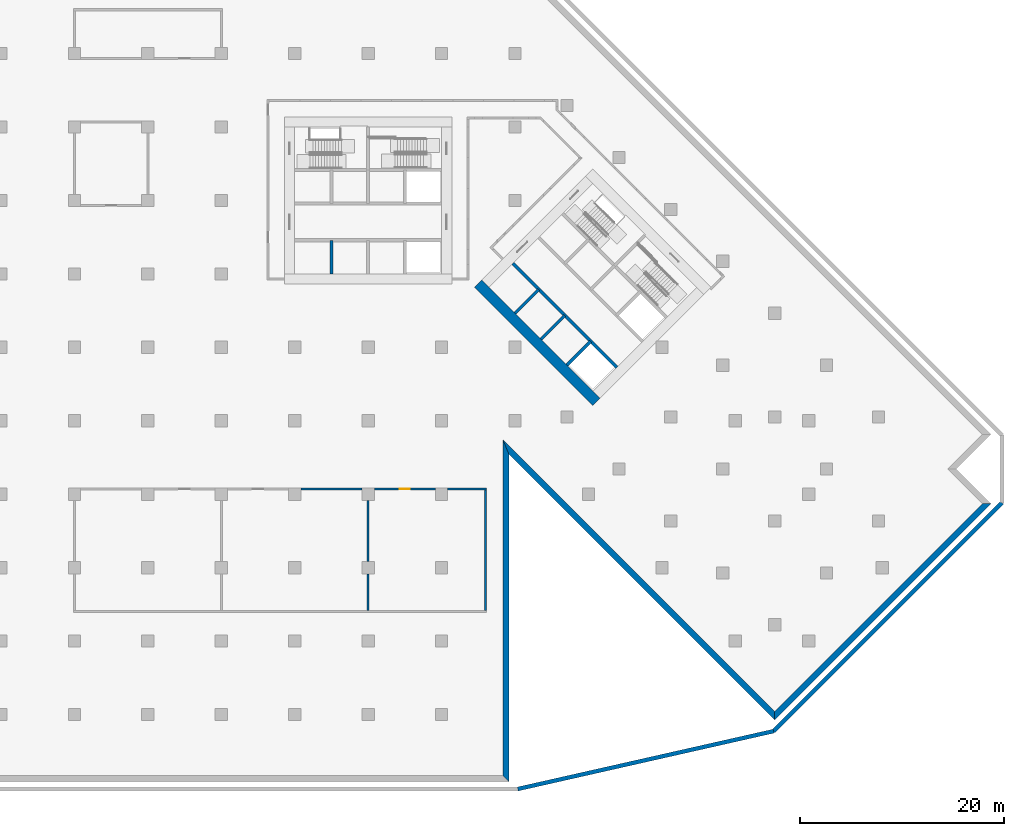
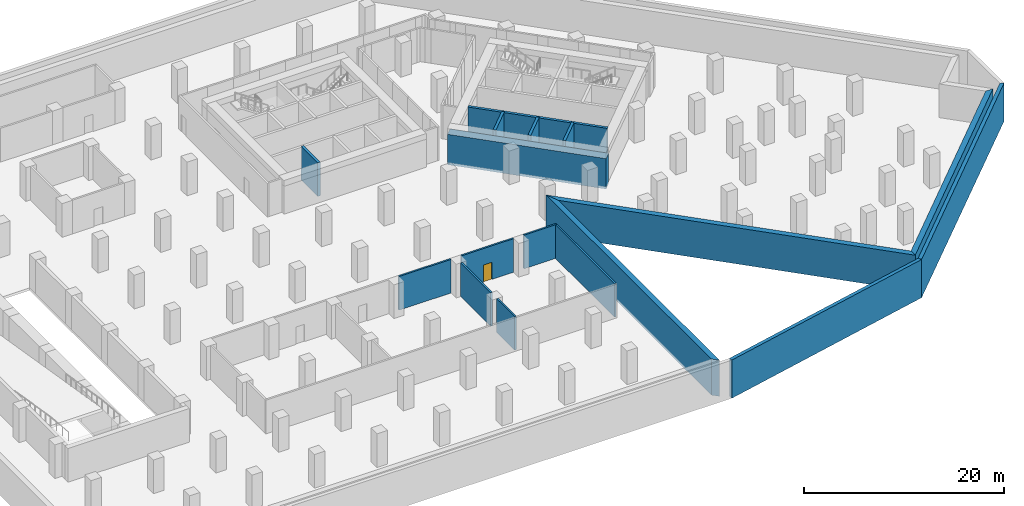
# One storey, part 4 of 11: 17 walls, 1 door, 1 opening.
"""IFC4 building model written with IfcOpenShell, lengths in metres."""

from ifc_helpers import new_model, si_unit, direction, frame, frame_2d, origin, place, context, subcontext, project, spatial, polyline, rectangle, outline, extrude, material, layer, layer_set, type_object, element, fill, save


model = new_model("IFC4")

# Units and contexts
model_context = context("Model", 3, precision=1e-05, world=origin(), true_north=direction((0.0, 1.0)))
body_context = subcontext(model_context, "Body", "Model", "MODEL_VIEW")
ifc_project = project(units=[si_unit("LENGTHUNIT", "METRE"), si_unit("AREAUNIT", "SQUARE_METRE"), si_unit("VOLUMEUNIT", "CUBIC_METRE"), si_unit("PLANEANGLEUNIT", "RADIAN"), si_unit("MASSUNIT", "GRAM", prefix="KILO")], contexts=[model_context])

# Site, building, storey
site_placement = place(None, origin())
site = spatial("IfcSite", under=ifc_project, at=site_placement, CompositionType="ELEMENT")
building_placement = place(site_placement, origin())
building = spatial("IfcBuilding", under=site, at=building_placement, Name="Windrow Commons", CompositionType="ELEMENT")
storey_placement = place(building_placement, frame((0.0, 0.0, -4.5)))
storey = spatial("IfcBuildingStorey", under=building, at=storey_placement, Name="B1", CompositionType="ELEMENT", Elevation=-4.5)

# Walls
ifc_material_1 = material(Name="Blockwork partition", Category="masonry")
ifc_layer_1 = layer(ifc_material_1, 0.2)
ifc_layer_set_1 = layer_set([ifc_layer_1], Name="CP-PART-200")
wall_type_1 = type_object("IfcWallType", Name="CP-PART-200", PredefinedType="PARTITIONING", material=ifc_layer_set_1)
wall_1_placement = place(storey_placement, frame((64.8, 17.4, 0.0), z_axis=(0.0, 0.0, 1.0), x_axis=(0.0, 1.0, 0.0)))
element("IfcWall", 1, at=wall_1_placement, inside=storey, type_object=wall_type_1, Name="Plant room wall 09", PredefinedType="PARTITIONING", context=body_context, shape_type="SweptSolid", body=[
    extrude(rectangle(XDim=3.6, YDim=0.2, at=frame_2d((1.8, 0.0))), origin(), (0.0, 0.0, 1.0), 4.1),
])
wall_2_placement = place(storey_placement, frame((64.8, 22.2, 0.0), z_axis=(0.0, 0.0, 1.0), x_axis=(0.0, 1.0, 0.0)))
element("IfcWall", 2, at=wall_2_placement, inside=storey, type_object=wall_type_1, Name="Plant room wall 10", PredefinedType="PARTITIONING", context=body_context, shape_type="SweptSolid", body=[
    extrude(rectangle(XDim=6.0, YDim=0.2, at=frame_2d((3.0, 0.0))), origin(), (0.0, 0.0, 1.0), 4.1),
])
wall_3_placement = place(storey_placement, frame((76.3, 17.4, 0.0), z_axis=(0.0, 0.0, 1.0), x_axis=(0.0, 1.0, 0.0)))
element("IfcWall", 3, at=wall_3_placement, inside=storey, type_object=wall_type_1, Name="Plant room wall 11", PredefinedType="PARTITIONING", context=body_context, shape_type="SweptSolid", body=[
    extrude(rectangle(XDim=11.8, YDim=0.2, at=frame_2d((5.9, 0.0))), origin(), (0.0, 0.0, 1.0), 4.1),
])
wall_4_placement = place(storey_placement, frame((58.2, 29.3, 0.0), z_axis=(0.0, 0.0, 1.0), x_axis=(1.0, 0.0, 0.0)))
element("IfcWall", 4, at=wall_4_placement, inside=storey, type_object=wall_type_1, Name="Plant room wall 16", PredefinedType="PARTITIONING", context=body_context, shape_type="SweptSolid", body=[
    extrude(rectangle(XDim=6.0, YDim=0.2, at=frame_2d((3.0, 0.0))), origin(), (0.0, 0.0, 1.0), 4.1),
])

# Wall, opening, door
wall_5_placement = place(storey_placement, frame((65.4, 29.3, 0.0), z_axis=(0.0, 0.0, 1.0), x_axis=(1.0, 0.0, 0.0)))
wall_5 = element("IfcWall", 5, at=wall_5_placement, inside=storey, type_object=wall_type_1, Name="Plant room wall 17", PredefinedType="PARTITIONING", context=body_context, shape_type="SweptSolid", body=[
    extrude(rectangle(XDim=6.0, YDim=0.2, at=frame_2d((3.0, 0.0))), origin(), (0.0, 0.0, 1.0), 4.1),
])
opening_placement = place(wall_5_placement, frame((2.5, 0.0, 0.0)))
opening = element("IfcOpeningElement", 6, at=opening_placement, cuts=wall_5, Name="Opening B1-D53", PredefinedType="OPENING", context=body_context, shape_type="SweptSolid", body=[
    extrude(rectangle(XDim=1.0, YDim=2.1, at=frame_2d((0.5, 1.05))), frame((0.0, 0.11, 0.0), z_axis=(0.0, -1.0, 0.0), x_axis=(1.0, 0.0, 0.0)), (0.0, 0.0, 1.0), 0.22),
])
ifc_material_2 = material(Name="Steel fire door leaf", Category="steel")
door_type = type_object("IfcDoorType", Name="CP-DOOR-1000", OperationType="SINGLE_SWING_LEFT", PredefinedType="DOOR", material=ifc_material_2)
door_placement = place(opening_placement, origin())
door = element("IfcDoor", 7, at=door_placement, inside=storey, type_object=door_type, Name="D-B1-PLANT-03", OperationType="SINGLE_SWING_RIGHT", OverallHeight=2.1, OverallWidth=1.0, PredefinedType="DOOR", context=body_context, shape_type="SweptSolid", body=[
    extrude(rectangle(XDim=1.0, YDim=2.1, at=frame_2d((0.5, 1.05))), frame((0.0, 0.025, 0.0), z_axis=(0.0, -1.0, 0.0), x_axis=(1.0, 0.0, 0.0)), (0.0, 0.0, 1.0), 0.05),
])
fill(opening, door)

# Walls
wall_6_placement = place(storey_placement, frame((72.6, 29.3, 0.0), z_axis=(0.0, 0.0, 1.0), x_axis=(1.0, 0.0, 0.0)))
element("IfcWall", 8, at=wall_6_placement, inside=storey, type_object=wall_type_1, Name="Plant room wall 18", PredefinedType="PARTITIONING", context=body_context, shape_type="SweptSolid", body=[
    extrude(rectangle(XDim=3.8, YDim=0.2, at=frame_2d((1.9, 0.0))), origin(), (0.0, 0.0, 1.0), 4.1),
])
ifc_material_3 = material(Name="Concrete C60/75", Category="concrete")
ifc_layer_2 = layer(ifc_material_3, 1.0)
ifc_layer_set_2 = layer_set([ifc_layer_2], Name="RC CORE WALL 1000 C60/75")
wall_type_2 = type_object("IfcWallType", Name="RC CORE WALL 1000 C60/75", PredefinedType="SHEAR", material=ifc_layer_set_2)
wall_7_placement = place(storey_placement, frame((75.5938, 49.4433, -0.3), z_axis=(0.0, 0.0, 1.0), x_axis=(0.7071037324, -0.70710983, 0.0)))
element("IfcWall", 9, at=wall_7_placement, inside=storey, type_object=wall_type_2, Name="Core B wall outer-S", PredefinedType="SHEAR", context=body_context, shape_type="SweptSolid", body=[
    extrude(rectangle(XDim=16.4, YDim=1.0, at=frame_2d((8.2, 0.0))), origin(), (0.0, 0.0, 1.0), 3.7),
])
ifc_material_4 = material(Name="Concrete C40/50", Category="concrete")
ifc_layer_3 = layer(ifc_material_4, 0.4)
ifc_layer_set_3 = layer_set([ifc_layer_3], Name="RC RETAINING WALL 400 C40/50")
wall_type_3 = type_object("IfcWallType", Name="RC RETAINING WALL 400 C40/50", PredefinedType="SOLIDWALL", material=ifc_layer_set_3)
wall_8_placement = place(storey_placement, frame((126.9418, 27.9594, -0.3), z_axis=(0.0, 0.0, 1.0), x_axis=(-0.7071067812, -0.7071067812, 0.0)))
element("IfcWall", 10, at=wall_8_placement, inside=storey, type_object=wall_type_3, Name="Retaining wall raft edge B1-017", PredefinedType="SOLIDWALL", context=body_context, shape_type="SweptSolid", body=[
    extrude(outline(polyline([(0.0414, -0.2), (31.6304, -0.2), (31.6882, 0.2), (-0.0414, 0.2), (0.0414, -0.2)])), origin(), (0.0, 0.0, 1.0), 4.65),
])
wall_9_placement = place(storey_placement, frame((104.5553, 5.5729, -0.3), z_axis=(0.0, 0.0, 1.0), x_axis=(-0.9753555595, -0.2206389189, 0.0)))
element("IfcWall", 11, at=wall_9_placement, inside=storey, type_object=wall_type_3, Name="Retaining wall raft edge B1-018", PredefinedType="SOLIDWALL", context=body_context, shape_type="SweptSolid", body=[
    extrude(outline(polyline([(0.0289, -0.2), (25.7001, -0.2), (25.7224, 0.2), (-0.0289, 0.2), (0.0289, -0.2)])), origin(), (0.0, 0.0, 1.0), 4.65),
])
ifc_material_5 = material(Name="Concrete C40/50", Category="concrete")
ifc_layer_4 = layer(ifc_material_5, 0.6)
ifc_layer_set_4 = layer_set([ifc_layer_4], Name="RC RETAINING WALL 600 C40/50")
wall_type_4 = type_object("IfcWallType", Name="RC RETAINING WALL 600 C40/50", PredefinedType="SOLIDWALL", material=ifc_layer_set_4)
placement = place(storey_placement, frame((0.0, 0.0, -0.3)))
element("IfcWall", 12, at=placement, inside=storey, type_object=wall_type_4, Name="Retaining wall B1-04", PredefinedType="SOLIDWALL", context=body_context, shape_type="SweptSolid", body=[
    extrude(outline(polyline([(78.0, 1.2), (78.0, 34.1677), (78.6, 32.7192), (78.6, 0.6), (78.0, 1.2)])), origin(), (0.0, 0.0, 1.0), 4.4),
])
element("IfcWall", 13, at=placement, inside=storey, type_object=wall_type_4, Name="Retaining wall B1-05", PredefinedType="SOLIDWALL", context=body_context, shape_type="SweptSolid", body=[
    extrude(outline(polyline([(78.0, 34.1677), (104.6558, 7.5119), (104.6558, 6.6633), (78.6, 32.7192), (78.0, 34.1677)])), origin(), (0.0, 0.0, 1.0), 4.4),
])
element("IfcWall", 14, at=placement, inside=storey, type_object=wall_type_4, Name="Retaining wall B1-06", PredefinedType="SOLIDWALL", context=body_context, shape_type="SweptSolid", body=[
    extrude(outline(polyline([(104.6558, 7.5119), (125.0205, 27.8765), (125.869, 27.8765), (104.6558, 6.6633), (104.6558, 7.5119)])), origin(), (0.0, 0.0, 1.0), 4.4),
])
ifc_material_6 = material(Name="Concrete C60/75", Category="concrete")
ifc_layer_5 = layer(ifc_material_6, 0.3)
ifc_layer_set_5 = layer_set([ifc_layer_5], Name="RC SHAFT WALL 300 C60/75")
wall_type_5 = type_object("IfcWallType", Name="RC SHAFT WALL 300 C60/75", PredefinedType="SOLIDWALL", material=ifc_layer_set_5)
for number, where, z_axis, x_axis, name in (
    (15, (61.2, 50.4, 0.0), (0.0, 0.0, 1.0), (0.0, 1.0, 0.0), "Core A wall shaft-S1"),
    (16, (79.2, 46.5442, 0.0), (0.0, 0.0, 1.0), (0.7071219326, 0.7070916295, 0.0), "Core B wall shaft-S1"),
):
    element("IfcWall", number, at=place(storey_placement, frame(where, z_axis=z_axis, x_axis=x_axis)), inside=storey, type_object=wall_type_5, Name=name, PredefinedType="SOLIDWALL", context=body_context, shape_type="SweptSolid", body=[
        extrude(rectangle(XDim=3.3, YDim=0.3, at=frame_2d((1.65, 0.0))), origin(), (0.0, 0.0, 1.0), 4.1),
    ])
for number, where, z_axis, x_axis, name in (
    (17, (81.7456, 43.9986, 0.0), (0.0, 0.0, 1.0), (0.7071067812, 0.7071067812, 0.0), "Core B wall shaft-S2"),
    (18, (84.2912, 41.453, 0.0), (0.0, 0.0, 1.0), (0.7071067812, 0.7071067812, 0.0), "Core B wall shaft-S3"),
):
    element("IfcWall", number, at=place(storey_placement, frame(where, z_axis=z_axis, x_axis=x_axis)), inside=storey, type_object=wall_type_5, Name=name, PredefinedType="SOLIDWALL", context=body_context, shape_type="SweptSolid", body=[
        extrude(rectangle(XDim=3.2999, YDim=0.3, at=frame_2d((1.65, 0.0))), origin(), (0.0, 0.0, 1.0), 4.1),
    ])
wall_13_placement = place(storey_placement, frame((78.9879, 51.4232, 0.0), z_axis=(0.0, 0.0, 1.0), x_axis=(0.7071067812, -0.7071067812, 0.0)))
element("IfcWall", 19, at=wall_13_placement, inside=storey, type_object=wall_type_5, Name="Core B wall lobby-S", PredefinedType="SOLIDWALL", context=body_context, shape_type="SweptSolid", body=[
    extrude(rectangle(XDim=14.3999, YDim=0.3, at=frame_2d((7.2, 0.0))), origin(), (0.0, 0.0, 1.0), 4.1),
])

save(model, "model.ifc")
